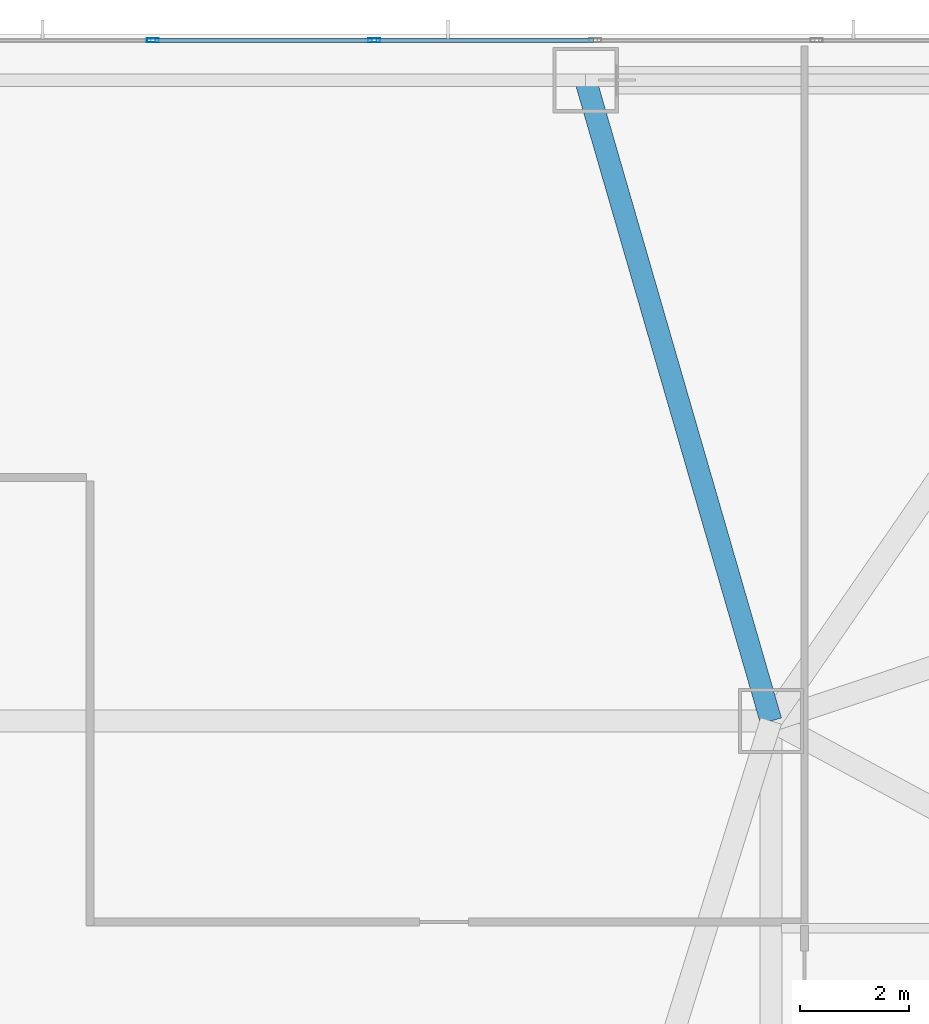
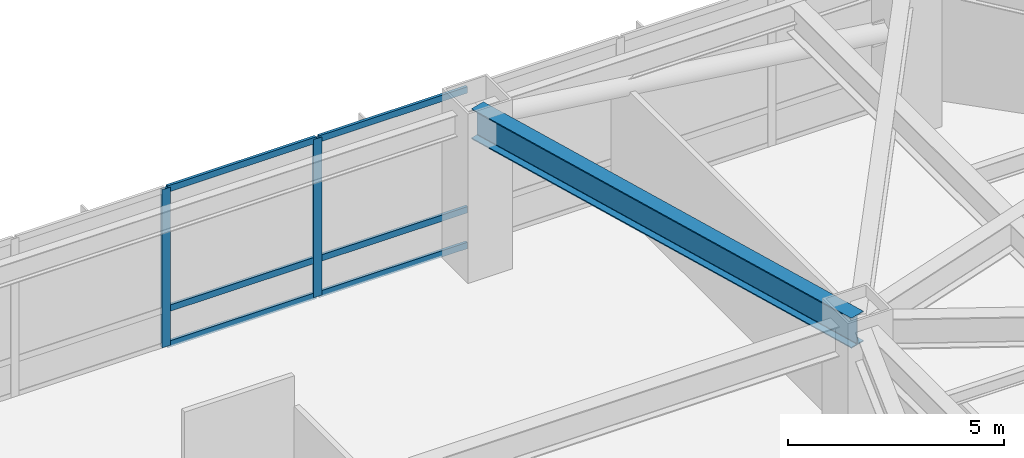
# One storey, part 13 of 33: 8 members, 1 beam, 1 element without a shape of its own.
"""IFC4 building model written with IfcOpenShell, lengths in metres."""

from ifc_helpers import new_model, si_unit, direction, frame, origin, origin_2d, place, context, subcontext, project, spatial, hollow_rectangle, i_section, extrude, material, material_profile, profile_set, type_object, element, aggregate, save


model = new_model("IFC4")

# Units and contexts
model_context = context("Model", 3, precision=1e-05, world=origin(), true_north=direction((0.0, 1.0)))
body_context = subcontext(model_context, "Body", "Model", "MODEL_VIEW")
ifc_project = project(units=[si_unit("LENGTHUNIT", "METRE"), si_unit("AREAUNIT", "SQUARE_METRE"), si_unit("VOLUMEUNIT", "CUBIC_METRE"), si_unit("PLANEANGLEUNIT", "RADIAN"), si_unit("MASSUNIT", "GRAM", prefix="KILO")], contexts=[model_context])

# Site, building, storey
site_placement = place(None, origin())
site = spatial("IfcSite", under=ifc_project, at=site_placement, CompositionType="ELEMENT")
building_placement = place(site_placement, origin())
building = spatial("IfcBuilding", under=site, at=building_placement, Name="Khamvora Tower", CompositionType="ELEMENT")
storey_placement = place(building_placement, frame((0.0, 0.0, 7.199951171875)))
storey = spatial("IfcBuildingStorey", under=building, at=storey_placement, Name="L01", CompositionType="ELEMENT", Elevation=7.199951171875)

# Beam
ifc_material_1 = material(Name="Steel S355", Category="steel")
ifc_material_profile_1 = material_profile(ifc_material_1, i_section(OverallWidth=0.39990234375, OverallDepth=0.85498046875, WebThickness=0.01806640625, FlangeThickness=0.029052734375, FilletRadius=0.01806640625, at=origin_2d()), Name="W840x299")
ifc_profile_set_1 = profile_set([ifc_material_profile_1], Name="Steel S355")
beam_type = type_object("IfcBeamType", Name="BM-PG-W840x299", PredefinedType="BEAM", material=ifc_profile_set_1)
beam_placement = place(storey_placement, frame((41.39990234375, 43.39990234375, 4.052001953125), z_axis=(-0.277951455854, 0.960595121885, 0.0), x_axis=(-0.960595121885, -0.277951455854, 0.0)))
element("IfcBeam", 1, at=beam_placement, inside=storey, type_object=beam_type, Name="L01 primary floor girder P07", PredefinedType="BEAM", context=body_context, shape_type="SweptSolid", body=[
    extrude(i_section(OverallWidth=0.39990234375, OverallDepth=0.85498046875, WebThickness=0.01806640625, FlangeThickness=0.029052734375, FilletRadius=0.01806640625, at=origin_2d()), origin(), (0.0, 0.0, 1.0), 12.23193359375),
])

# Curtain wall, members
ifc_material_2 = material(Name="Anodised Aluminium 6063-T6", Category="aluminium")
curtain_wall_type = type_object("IfcCurtainWallType", Name="CW-SYS-01", PredefinedType="NOTDEFINED", material=ifc_material_2)
curtain_wall_placement = place(storey_placement, origin())
curtain_wall = element("IfcCurtainWall", 2, at=curtain_wall_placement, inside=storey, type_object=curtain_wall_type, Name="L01 stick curtain wall 07.1", PredefinedType="NOTDEFINED")
ifc_material_profile_2 = material_profile(ifc_material_2, hollow_rectangle(XDim=0.074951171875, YDim=0.219970703125, WallThickness=0.0048828125, at=origin_2d()), Name="MUL75x220x5")
ifc_profile_set_2 = profile_set([ifc_material_profile_2], Name="Anodised Aluminium 6063-T6")
member_type_1 = type_object("IfcMemberType", Name="CW-SYS-01-MUL", PredefinedType="MULLION", material=ifc_profile_set_2)
member_1_placement = place(storey_placement, frame((30.06689453125, 55.8798828125, 0.0), z_axis=(0.0, 0.0, 1.0), x_axis=(0.0, 1.0, 0.0)))
member_1 = element("IfcMember", 3, at=member_1_placement, type_object=member_type_1, Name="CW-01 mullion 7", PredefinedType="MULLION", context=body_context, shape_type="SweptSolid", body=[
    extrude(hollow_rectangle(XDim=0.074951171875, YDim=0.219970703125, WallThickness=0.0048828125, at=origin_2d()), origin(), (0.0, 0.0, 1.0), 4.47998046875),
])
member_2_placement = place(storey_placement, frame((34.12353515625, 55.8798828125, 0.0), z_axis=(0.0, 0.0, 1.0), x_axis=(0.0, 1.0, 0.0)))
member_2 = element("IfcMember", 4, at=member_2_placement, type_object=member_type_1, Name="CW-01 mullion 8", PredefinedType="MULLION", context=body_context, shape_type="SweptSolid", body=[
    extrude(hollow_rectangle(XDim=0.074951171875, YDim=0.219970703125, WallThickness=0.0048828125, at=origin_2d()), origin(), (0.0, 0.0, 1.0), 4.47998046875),
])
ifc_material_profile_3 = material_profile(ifc_material_2, hollow_rectangle(XDim=0.074951171875, YDim=0.179931640625, WallThickness=0.0048828125, at=origin_2d()), Name="TRN75x180x5")
ifc_profile_set_3 = profile_set([ifc_material_profile_3], Name="Anodised Aluminium 6063-T6")
member_type_2 = type_object("IfcMemberType", Name="CW-SYS-01-TRN", PredefinedType="USERDEFINED", material=ifc_profile_set_3)
member_3_placement = place(storey_placement, frame((30.104248046875, 55.8798828125, 0.03759765625), z_axis=(1.0, 0.0, 0.0), x_axis=(0.0, 1.0, 0.0)))
member_3 = element("IfcMember", 5, at=member_3_placement, type_object=member_type_2, Name="CW-01 transom 7.1", ObjectType="TRANSOM", PredefinedType="USERDEFINED", context=body_context, shape_type="SweptSolid", body=[
    extrude(hollow_rectangle(XDim=0.074951171875, YDim=0.179931640625, WallThickness=0.0048828125, at=origin_2d()), origin(), (0.0, 0.0, 1.0), 3.981689453125),
])
member_4_placement = place(storey_placement, frame((30.104248046875, 55.8798828125, 1.050048828125), z_axis=(1.0, 0.0, 0.0), x_axis=(0.0, 1.0, 0.0)))
member_4 = element("IfcMember", 6, at=member_4_placement, type_object=member_type_2, Name="CW-01 transom 7.2", ObjectType="TRANSOM", PredefinedType="USERDEFINED", context=body_context, shape_type="SweptSolid", body=[
    extrude(hollow_rectangle(XDim=0.074951171875, YDim=0.179931640625, WallThickness=0.0048828125, at=origin_2d()), origin(), (0.0, 0.0, 1.0), 3.981689453125),
])
member_5_placement = place(storey_placement, frame((30.104248046875, 55.8798828125, 4.442626953125), z_axis=(1.0, 0.0, 0.0), x_axis=(0.0, 1.0, 0.0)))
member_5 = element("IfcMember", 7, at=member_5_placement, type_object=member_type_2, Name="CW-01 transom 7.3", ObjectType="TRANSOM", PredefinedType="USERDEFINED", context=body_context, shape_type="SweptSolid", body=[
    extrude(hollow_rectangle(XDim=0.074951171875, YDim=0.179931640625, WallThickness=0.0048828125, at=origin_2d()), origin(), (0.0, 0.0, 1.0), 3.981689453125),
])
member_6_placement = place(storey_placement, frame((34.160888671875, 55.8798828125, 0.03759765625), z_axis=(1.0, 0.0, 0.0), x_axis=(0.0, 1.0, 0.0)))
member_6 = element("IfcMember", 8, at=member_6_placement, type_object=member_type_2, Name="CW-01 transom 8.1", ObjectType="TRANSOM", PredefinedType="USERDEFINED", context=body_context, shape_type="SweptSolid", body=[
    extrude(hollow_rectangle(XDim=0.074951171875, YDim=0.179931640625, WallThickness=0.0048828125, at=origin_2d()), origin(), (0.0, 0.0, 1.0), 3.981689453125),
])
member_7_placement = place(storey_placement, frame((34.160888671875, 55.8798828125, 1.050048828125), z_axis=(1.0, 0.0, 0.0), x_axis=(0.0, 1.0, 0.0)))
member_7 = element("IfcMember", 9, at=member_7_placement, type_object=member_type_2, Name="CW-01 transom 8.2", ObjectType="TRANSOM", PredefinedType="USERDEFINED", context=body_context, shape_type="SweptSolid", body=[
    extrude(hollow_rectangle(XDim=0.074951171875, YDim=0.179931640625, WallThickness=0.0048828125, at=origin_2d()), origin(), (0.0, 0.0, 1.0), 3.981689453125),
])
member_8_placement = place(storey_placement, frame((34.160888671875, 55.8798828125, 4.442626953125), z_axis=(1.0, 0.0, 0.0), x_axis=(0.0, 1.0, 0.0)))
member_8 = element("IfcMember", 10, at=member_8_placement, type_object=member_type_2, Name="CW-01 transom 8.3", ObjectType="TRANSOM", PredefinedType="USERDEFINED", context=body_context, shape_type="SweptSolid", body=[
    extrude(hollow_rectangle(XDim=0.074951171875, YDim=0.179931640625, WallThickness=0.0048828125, at=origin_2d()), origin(), (0.0, 0.0, 1.0), 3.981689453125),
])
aggregate(curtain_wall, [member_1, member_2, member_3, member_4, member_5, member_6, member_7, member_8])

save(model, "model.ifc")
